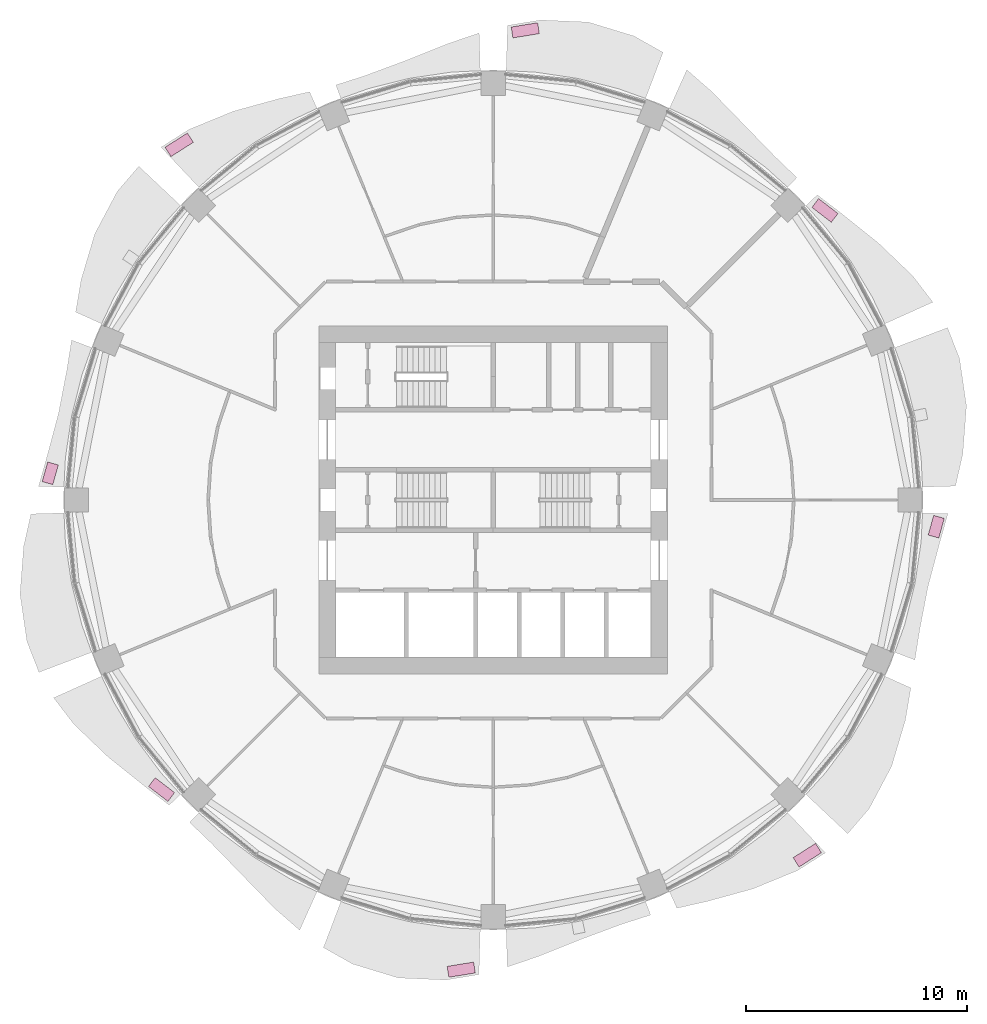
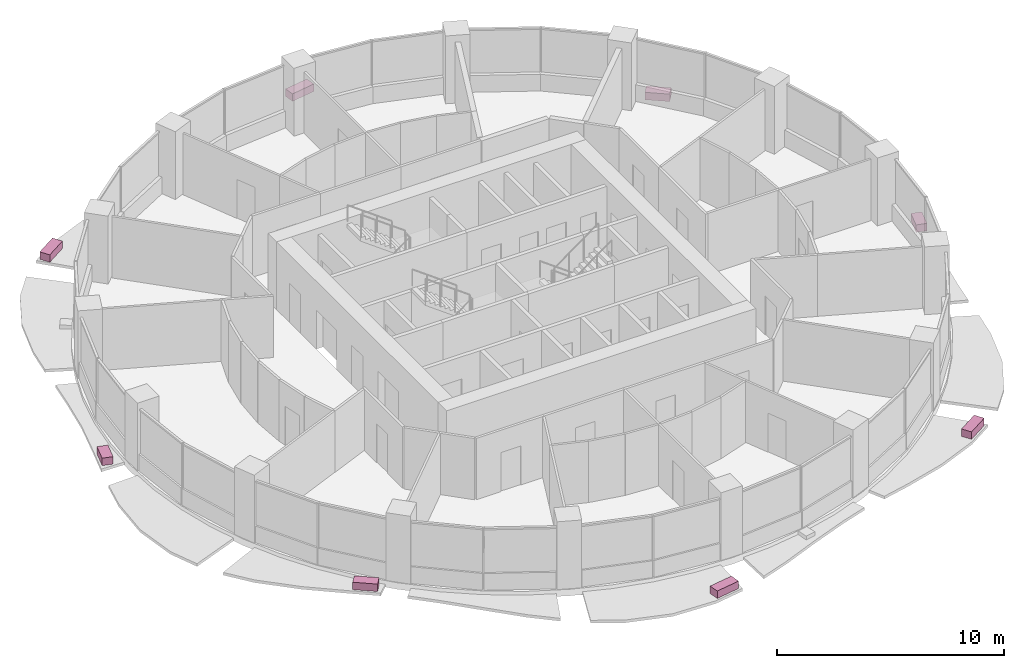
# One storey, part 15 of 15: 8 furniture elements.
"""IFC4 building model written with IfcOpenShell, lengths in metres."""

from ifc_helpers import new_model, si_unit, direction, frame, origin, origin_2d, place, context, subcontext, project, spatial, rectangle, extrude, material, type_object, element, save


model = new_model("IFC4")

# Units and contexts
model_context = context("Model", 3, precision=1e-05, world=origin(), true_north=direction((0.0, 1.0)))
body_context = subcontext(model_context, "Body", "Model", "MODEL_VIEW")
ifc_project = project(units=[si_unit("LENGTHUNIT", "METRE"), si_unit("AREAUNIT", "SQUARE_METRE"), si_unit("VOLUMEUNIT", "CUBIC_METRE"), si_unit("PLANEANGLEUNIT", "RADIAN"), si_unit("MASSUNIT", "GRAM", prefix="KILO")], contexts=[model_context])

# Site, building, storey
site_placement = place(None, origin())
site = spatial("IfcSite", under=ifc_project, at=site_placement, CompositionType="ELEMENT")
building_placement = place(site_placement, origin())
building = spatial("IfcBuilding", under=site, at=building_placement, Name="Polderwave Tower", CompositionType="ELEMENT")
storey_placement = place(building_placement, frame((0.0, 0.0, 80.050048828125)))
storey = spatial("IfcBuildingStorey", under=building, at=storey_placement, Name="L20", CompositionType="ELEMENT", Elevation=80.050048828125)

# Furniture
ifc_material = material(Name="Terracotta", Category="masonry")
furniture_type = type_object("IfcFurnitureType", Name="Terracotta planting trough", AssemblyPlace="NOTDEFINED", PredefinedType="USERDEFINED", material=ifc_material)
furniture_1_placement = place(storey_placement, frame((14.99853515625, 13.09228515625, -0.199951171875), z_axis=(0.0, 0.0, 1.0), x_axis=(-0.793298087589, 0.608833428967, 0.0)))
element("IfcFurniture", 1, at=furniture_1_placement, inside=storey, type_object=furniture_type, Name="Planting trough L20 2", ObjectType="PLANTER", PredefinedType="USERDEFINED", context=body_context, shape_type="SweptSolid", body=[
    extrude(rectangle(XDim=1.106689453125, YDim=0.5, at=origin_2d()), origin(), (0.0, 0.0, 1.0), 0.39990234375),
])
furniture_2_placement = place(storey_placement, frame((1.447509765625, 21.23681640625, -0.199951171875), z_axis=(0.0, 0.0, 1.0), x_axis=(-0.987088504361, -0.160175792671, 0.0)))
element("IfcFurniture", 2, at=furniture_2_placement, inside=storey, type_object=furniture_type, Name="Planting trough L20 4", ObjectType="PLANTER", PredefinedType="USERDEFINED", context=body_context, shape_type="SweptSolid", body=[
    extrude(rectangle(XDim=1.2119140625, YDim=0.5, at=origin_2d()), origin(), (0.0, 0.0, 1.0), 0.39990234375),
])
furniture_3_placement = place(storey_placement, frame((-14.2001953125, 16.060546875, -0.199951171875), z_axis=(0.0, 0.0, 1.0), x_axis=(-0.84416422714, -0.536084655271, 0.0)))
element("IfcFurniture", 3, at=furniture_3_placement, inside=storey, type_object=furniture_type, Name="Planting trough L20 6", ObjectType="PLANTER", PredefinedType="USERDEFINED", context=body_context, shape_type="SweptSolid", body=[
    extrude(rectangle(XDim=1.202392578125, YDim=0.5, at=origin_2d()), origin(), (0.0, 0.0, 1.0), 0.39990234375),
])
furniture_4_placement = place(storey_placement, frame((-20.030029296875, 1.20751953125, -0.199951171875), z_axis=(0.0, 0.0, 1.0), x_axis=(-0.271416932566, -0.962461868708, 0.0)))
element("IfcFurniture", 4, at=furniture_4_placement, inside=storey, type_object=furniture_type, Name="Planting trough L20 8", ObjectType="PLANTER", PredefinedType="USERDEFINED", context=body_context, shape_type="SweptSolid", body=[
    extrude(rectangle(XDim=0.922119140625, YDim=0.5, at=origin_2d()), origin(), (0.0, 0.0, 1.0), 0.39990234375),
])
furniture_5_placement = place(storey_placement, frame((-14.99853515625, -13.09228515625, -0.199951171875), z_axis=(0.0, 0.0, 1.0), x_axis=(0.793298087589, -0.608833428967, 0.0)))
element("IfcFurniture", 5, at=furniture_5_placement, inside=storey, type_object=furniture_type, Name="Planting trough L20 10", ObjectType="PLANTER", PredefinedType="USERDEFINED", context=body_context, shape_type="SweptSolid", body=[
    extrude(rectangle(XDim=1.106689453125, YDim=0.5, at=origin_2d()), origin(), (0.0, 0.0, 1.0), 0.39990234375),
])
furniture_6_placement = place(storey_placement, frame((-1.447509765625, -21.23681640625, -0.199951171875), z_axis=(0.0, 0.0, 1.0), x_axis=(0.987088504361, 0.160175792671, 0.0)))
element("IfcFurniture", 6, at=furniture_6_placement, inside=storey, type_object=furniture_type, Name="Planting trough L20 12", ObjectType="PLANTER", PredefinedType="USERDEFINED", context=body_context, shape_type="SweptSolid", body=[
    extrude(rectangle(XDim=1.2119140625, YDim=0.5, at=origin_2d()), origin(), (0.0, 0.0, 1.0), 0.39990234375),
])
furniture_7_placement = place(storey_placement, frame((14.2001953125, -16.060546875, -0.199951171875), z_axis=(0.0, 0.0, 1.0), x_axis=(0.84416422714, 0.536084655271, 0.0)))
element("IfcFurniture", 7, at=furniture_7_placement, inside=storey, type_object=furniture_type, Name="Planting trough L20 14", ObjectType="PLANTER", PredefinedType="USERDEFINED", context=body_context, shape_type="SweptSolid", body=[
    extrude(rectangle(XDim=1.202392578125, YDim=0.5, at=origin_2d()), origin(), (0.0, 0.0, 1.0), 0.39990234375),
])
furniture_8_placement = place(storey_placement, frame((20.030029296875, -1.20751953125, -0.199951171875), z_axis=(0.0, 0.0, 1.0), x_axis=(0.271416932566, 0.962461868708, 0.0)))
element("IfcFurniture", 8, at=furniture_8_placement, inside=storey, type_object=furniture_type, Name="Planting trough L20 16", ObjectType="PLANTER", PredefinedType="USERDEFINED", context=body_context, shape_type="SweptSolid", body=[
    extrude(rectangle(XDim=0.922119140625, YDim=0.5, at=origin_2d()), origin(), (0.0, 0.0, 1.0), 0.39990234375),
])

save(model, "model.ifc")
